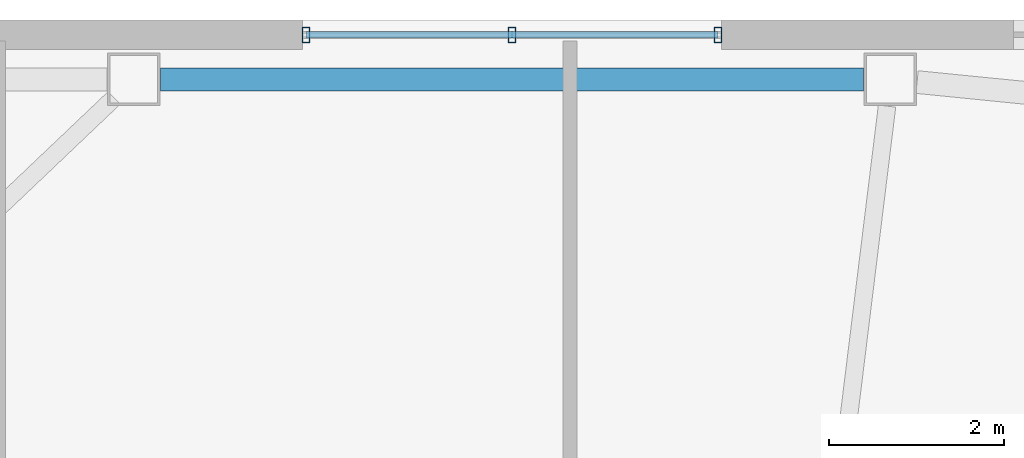
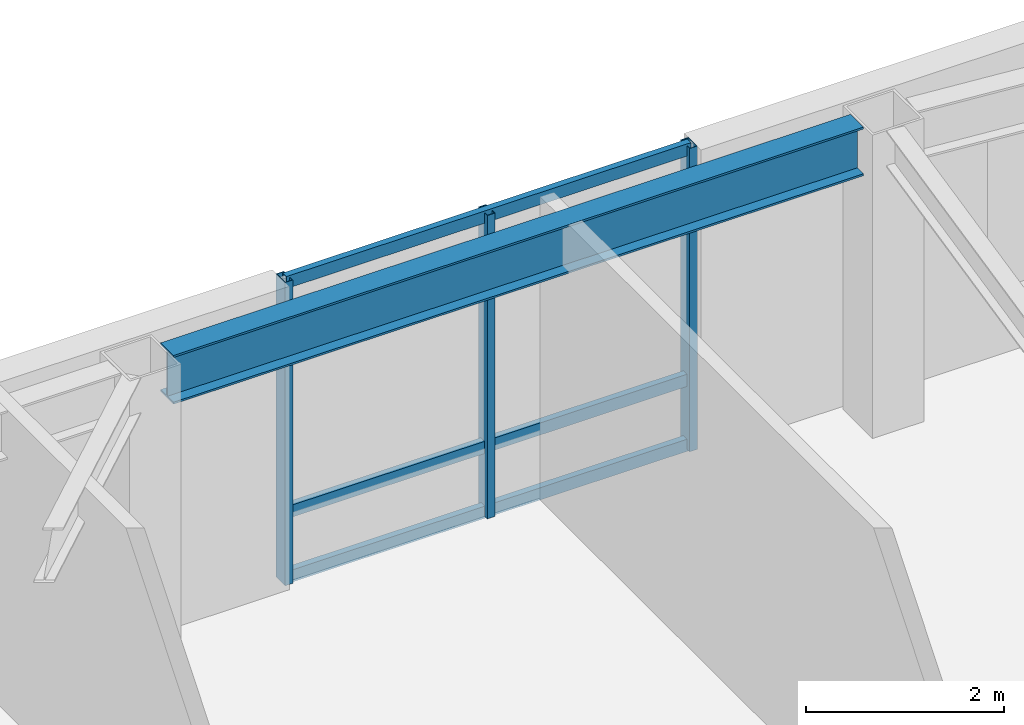
# One storey, part 5 of 17: 6 members, 1 beam, 1 element without a shape of its own.
"""IFC4 building model written with IfcOpenShell, lengths in metres."""

from ifc_helpers import new_model, si_unit, direction, frame, origin, origin_2d, place, context, subcontext, project, spatial, hollow_rectangle, i_section, extrude, material, layer, layer_set, material_profile, profile_set, type_object, element, aggregate, save


model = new_model("IFC4")

# Units and contexts
model_context = context("Model", 3, precision=1e-05, world=origin(), true_north=direction((0.0, 1.0)))
body_context = subcontext(model_context, "Body", "Model", "MODEL_VIEW")
ifc_project = project(units=[si_unit("LENGTHUNIT", "METRE"), si_unit("AREAUNIT", "SQUARE_METRE"), si_unit("VOLUMEUNIT", "CUBIC_METRE"), si_unit("PLANEANGLEUNIT", "RADIAN"), si_unit("MASSUNIT", "GRAM", prefix="KILO")], contexts=[model_context])

# Site, building, storey
site_placement = place(None, origin())
site = spatial("IfcSite", under=ifc_project, at=site_placement, CompositionType="ELEMENT")
building_placement = place(site_placement, origin())
building = spatial("IfcBuilding", under=site, at=building_placement, Name="Tavrogorsk Clinical Tower", CompositionType="ELEMENT")
storey_placement = place(building_placement, frame((0.0, 0.0, 160.199951171875)))
storey = spatial("IfcBuildingStorey", under=building, at=storey_placement, Name="L36", CompositionType="ELEMENT", Elevation=160.199951171875)

# Curtain wall, members
ifc_material_1 = material(Name="Anodised aluminium and triple IGU glazing", Category="aluminium")
ifc_layer = layer(ifc_material_1, 0.179931640625)
ifc_layer_set = layer_set([ifc_layer], Name="Anodised aluminium and triple IGU glazing")
curtain_wall_type = type_object("IfcCurtainWallType", Name="CW2_NorthSlot", PredefinedType="NOTDEFINED", material=ifc_layer_set)
curtain_wall_placement = place(storey_placement, origin())
curtain_wall = element("IfcCurtainWall", 1, at=curtain_wall_placement, inside=storey, type_object=curtain_wall_type, Name="L36 Curtain Wall CW-L36-N-SLOT-1", PredefinedType="NOTDEFINED")
ifc_material_2 = material(Name="Anodised aluminium alloy AW-6060", Category="aluminium")
ifc_material_profile_1 = material_profile(ifc_material_2, hollow_rectangle(XDim=0.090087890625, YDim=0.179931640625, WallThickness=0.00634765625, at=origin_2d()), Name="RHS-180x90x6.3")
ifc_profile_set_1 = profile_set([ifc_material_profile_1], Name="Anodised aluminium alloy AW-6060")
member_type_1 = type_object("IfcMemberType", Name="CwMullion_180x90", PredefinedType="MULLION", material=ifc_profile_set_1)
member_1_placement = place(storey_placement, frame((-3.90380859375, 26.929931640625, 0.0), z_axis=(0.0, 0.0, 1.0), x_axis=(-1.0, 0.0, 0.0)))
member_1 = element("IfcMember", 2, at=member_1_placement, type_object=member_type_1, Name="CW-L36-N-SLOT-1 Mullion 1", PredefinedType="MULLION", context=body_context, shape_type="SweptSolid", body=[
    extrude(hollow_rectangle(XDim=0.090087890625, YDim=0.179931640625, WallThickness=0.00634765625, at=origin_2d()), origin(), (0.0, 0.0, 1.0), 3.739990234375),
])
member_2_placement = place(storey_placement, frame((-6.262939453125, 26.929931640625, 0.0), z_axis=(0.0, 0.0, 1.0), x_axis=(-1.0, 0.0, 0.0)))
member_2 = element("IfcMember", 3, at=member_2_placement, type_object=member_type_1, Name="CW-L36-N-SLOT-1 Mullion 2", PredefinedType="MULLION", context=body_context, shape_type="SweptSolid", body=[
    extrude(hollow_rectangle(XDim=0.090087890625, YDim=0.179931640625, WallThickness=0.00634765625, at=origin_2d()), origin(), (0.0, 0.0, 1.0), 3.739990234375),
])
member_3_placement = place(storey_placement, frame((-8.621826171875, 26.929931640625, 0.0), z_axis=(0.0, 0.0, 1.0), x_axis=(-1.0, 0.0, 0.0)))
member_3 = element("IfcMember", 4, at=member_3_placement, type_object=member_type_1, Name="CW-L36-N-SLOT-1 Mullion 3", PredefinedType="MULLION", context=body_context, shape_type="SweptSolid", body=[
    extrude(hollow_rectangle(XDim=0.090087890625, YDim=0.179931640625, WallThickness=0.00634765625, at=origin_2d()), origin(), (0.0, 0.0, 1.0), 3.739990234375),
])
ifc_material_3 = material(Name="Anodised aluminium alloy AW-6060", Category="aluminium")
ifc_material_profile_2 = material_profile(ifc_material_3, hollow_rectangle(XDim=0.074951171875, YDim=0.14990234375, WallThickness=0.0048828125, at=origin_2d()), Name="RHS-150x75x5")
ifc_profile_set_2 = profile_set([ifc_material_profile_2], Name="Anodised aluminium alloy AW-6060")
member_type_2 = type_object("IfcMemberType", Name="CwTransom_150x75", PredefinedType="USERDEFINED", material=ifc_profile_set_2)
member_4_placement = place(storey_placement, frame((-3.90380859375, 26.929931640625, 0.050048828125), z_axis=(-1.0, 0.0, 0.0), x_axis=(0.0, -1.0, 0.0)))
member_4 = element("IfcMember", 5, at=member_4_placement, type_object=member_type_2, Name="CW-L36-N-SLOT-1 Transom 1", ObjectType="TRANSOM", PredefinedType="USERDEFINED", context=body_context, shape_type="SweptSolid", body=[
    extrude(hollow_rectangle(XDim=0.074951171875, YDim=0.14990234375, WallThickness=0.0048828125, at=origin_2d()), origin(), (0.0, 0.0, 1.0), 4.718017578125),
])
member_5_placement = place(storey_placement, frame((-3.90380859375, 26.929931640625, 0.85009765625), z_axis=(-1.0, 0.0, 0.0), x_axis=(0.0, -1.0, 0.0)))
member_5 = element("IfcMember", 6, at=member_5_placement, type_object=member_type_2, Name="CW-L36-N-SLOT-1 Transom 2", ObjectType="TRANSOM", PredefinedType="USERDEFINED", context=body_context, shape_type="SweptSolid", body=[
    extrude(hollow_rectangle(XDim=0.074951171875, YDim=0.14990234375, WallThickness=0.0048828125, at=origin_2d()), origin(), (0.0, 0.0, 1.0), 4.718017578125),
])
member_6_placement = place(storey_placement, frame((-3.90380859375, 26.929931640625, 3.68994140625), z_axis=(-1.0, 0.0, 0.0), x_axis=(0.0, -1.0, 0.0)))
member_6 = element("IfcMember", 7, at=member_6_placement, type_object=member_type_2, Name="CW-L36-N-SLOT-1 Transom 3", ObjectType="TRANSOM", PredefinedType="USERDEFINED", context=body_context, shape_type="SweptSolid", body=[
    extrude(hollow_rectangle(XDim=0.074951171875, YDim=0.14990234375, WallThickness=0.0048828125, at=origin_2d()), origin(), (0.0, 0.0, 1.0), 4.718017578125),
])
aggregate(curtain_wall, [member_1, member_2, member_3, member_4, member_5, member_6])

# Beam
ifc_material_4 = material(Name="Structural steel S390", Category="steel")
ifc_material_profile_3 = material_profile(ifc_material_4, i_section(OverallWidth=0.260009765625, OverallDepth=0.60009765625, WebThickness=0.014892578125, FlangeThickness=0.02392578125, at=origin_2d()), Name="B-600x260x15x24")
ifc_profile_set_3 = profile_set([ifc_material_profile_3], Name="Structural steel S390")
beam_type = type_object("IfcBeamType", Name="SpandrelBeam_B600", PredefinedType="SPANDREL", material=ifc_profile_set_3)
beam_placement = place(storey_placement, frame((-2.239501953125, 26.419921875, 3.43994140625), z_axis=(-1.0, 0.0, 0.0), x_axis=(0.0, -1.0, 0.0)))
element("IfcBeam", 8, at=beam_placement, inside=storey, type_object=beam_type, Name="L36 Perimeter Spandrel N5-N6", PredefinedType="SPANDREL", context=body_context, shape_type="SweptSolid", body=[
    extrude(i_section(OverallWidth=0.260009765625, OverallDepth=0.60009765625, WebThickness=0.014892578125, FlangeThickness=0.02392578125, at=origin_2d()), origin(), (0.0, 0.0, 1.0), 8.046875),
])

save(model, "model.ifc")
